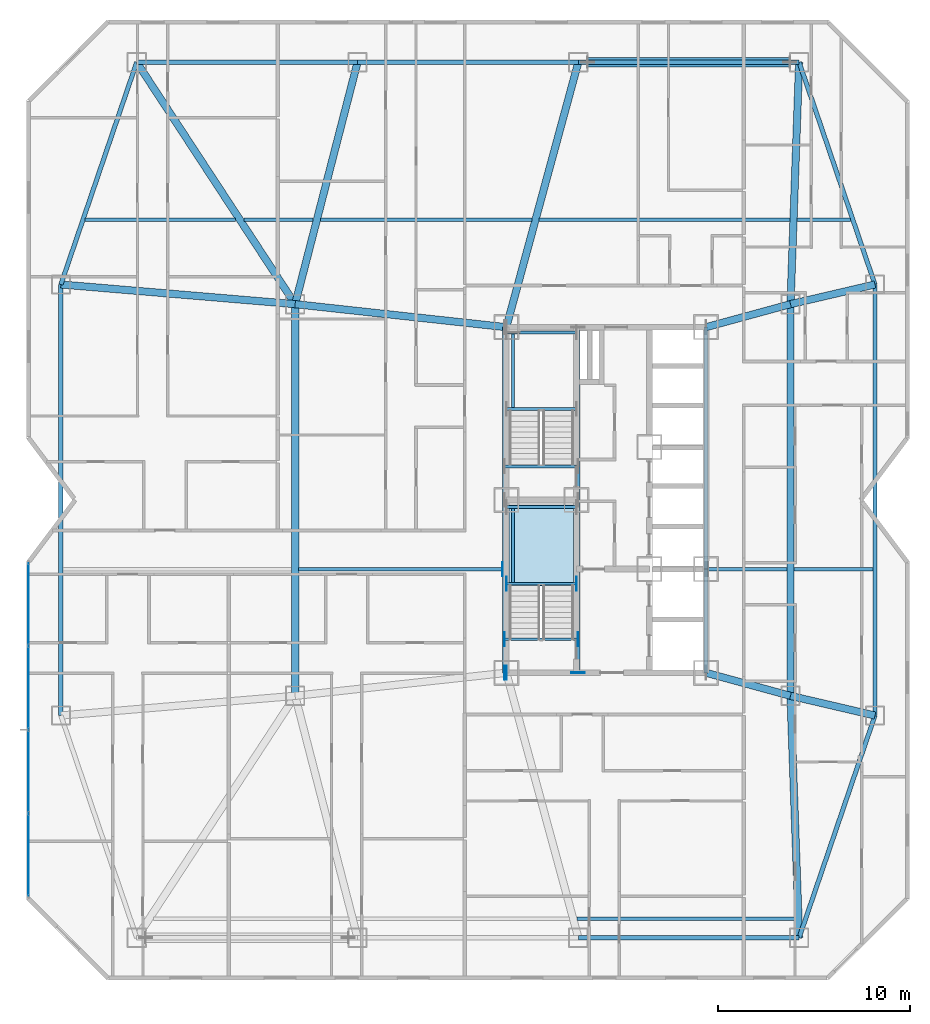
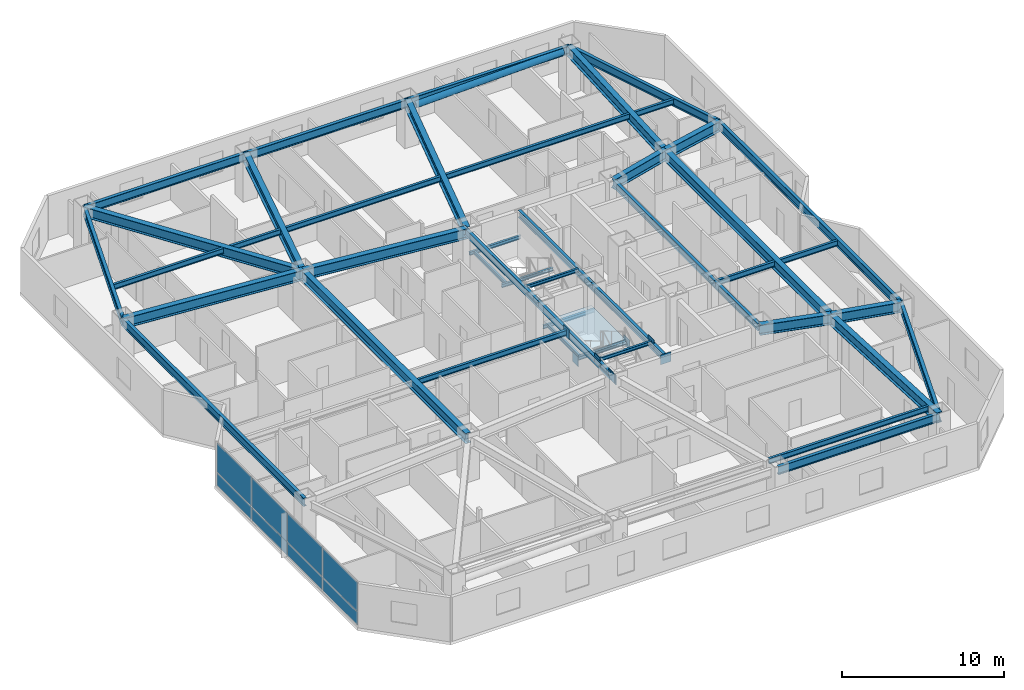
# One storey, part 7 of 18: 45 beams, 16 plates, 1 member, 1 slab, 2 elements without a shape of their own.
"""IFC4 building model written with IfcOpenShell, lengths in metres."""

from ifc_helpers import new_model, si_unit, direction, frame, origin, origin_2d, place, context, subcontext, project, spatial, polyline, rectangle, hollow_circle, i_section, outline, extrude, material, layer, layer_set, material_profile, profile_set, type_object, element, aggregate, save


model = new_model("IFC4")

# Units and contexts
model_context = context("Model", 3, precision=1e-05, world=origin(), true_north=direction((0.0, 1.0)))
body_context = subcontext(model_context, "Body", "Model", "MODEL_VIEW")
ifc_project = project(units=[si_unit("LENGTHUNIT", "METRE"), si_unit("AREAUNIT", "SQUARE_METRE"), si_unit("VOLUMEUNIT", "CUBIC_METRE"), si_unit("PLANEANGLEUNIT", "RADIAN"), si_unit("MASSUNIT", "GRAM", prefix="KILO")], contexts=[model_context])

# Site, building, storey
site_placement = place(None, origin())
site = spatial("IfcSite", under=ifc_project, at=site_placement, CompositionType="ELEMENT")
building_placement = place(site_placement, origin())
building = spatial("IfcBuilding", under=site, at=building_placement, Name="Khamvora Tower", CompositionType="ELEMENT")
storey_placement = place(building_placement, frame((0.0, 0.0, 80.75)))
storey = spatial("IfcBuildingStorey", under=building, at=storey_placement, Name="L20", CompositionType="ELEMENT", Elevation=80.75)

# Beams
ifc_material_1 = material(Name="Steel S355", Category="steel")
ifc_material_profile_1 = material_profile(ifc_material_1, i_section(OverallWidth=0.177978515625, OverallDepth=0.406982421875, WebThickness=0.008056640625, FlangeThickness=0.012939453125, FilletRadius=0.010009765625, at=origin_2d()), Name="W410x60")
ifc_profile_set_1 = profile_set([ifc_material_profile_1], Name="Steel S355")
beam_type_1 = type_object("IfcBeamType", Name="BM-JS-W410x60", PredefinedType="JOIST", material=ifc_profile_set_1)
beam_1_placement = place(storey_placement, frame((32.6708984375, 6.199951171875, 3.1259765625), z_axis=(1.0, 0.0, 0.0), x_axis=(0.0, 1.0, 0.0)))
element("IfcBeam", 1, at=beam_1_placement, inside=storey, type_object=beam_type_1, Name="L20 secondary floor joist 03", PredefinedType="JOIST", context=body_context, shape_type="SweptSolid", body=[
    extrude(i_section(OverallWidth=0.177978515625, OverallDepth=0.406982421875, WebThickness=0.008056640625, FlangeThickness=0.012939453125, FilletRadius=0.010009765625, at=origin_2d()), origin(), (0.0, 0.0, 1.0), 11.358154296875),
])
beam_2_placement = place(storey_placement, frame((18.18603515625, 24.39990234375, 3.1259765625), z_axis=(1.0, 0.0, 0.0), x_axis=(0.0, 1.0, 0.0)))
element("IfcBeam", 2, at=beam_2_placement, inside=storey, type_object=beam_type_1, Name="L20 secondary floor joist 05", PredefinedType="JOIST", context=body_context, shape_type="SweptSolid", body=[
    extrude(i_section(OverallWidth=0.177978515625, OverallDepth=0.406982421875, WebThickness=0.008056640625, FlangeThickness=0.012939453125, FilletRadius=0.010009765625, at=origin_2d()), origin(), (0.0, 0.0, 1.0), 10.614013671875),
])
beam_3_placement = place(storey_placement, frame((39.4990234375, 24.39990234375, 3.1259765625), z_axis=(1.0, 0.0, 0.0), x_axis=(0.0, 1.0, 0.0)))
element("IfcBeam", 3, at=beam_3_placement, inside=storey, type_object=beam_type_1, Name="L20 secondary floor joist 06", PredefinedType="JOIST", context=body_context, shape_type="SweptSolid", body=[
    extrude(i_section(OverallWidth=0.177978515625, OverallDepth=0.406982421875, WebThickness=0.008056640625, FlangeThickness=0.012939453125, FilletRadius=0.010009765625, at=origin_2d()), origin(), (0.0, 0.0, 1.0), 4.114990234375),
])
beam_4_placement = place(storey_placement, frame((43.985107421875, 24.39990234375, 3.1259765625), z_axis=(1.0, 0.0, 0.0), x_axis=(0.0, 1.0, 0.0)))
element("IfcBeam", 4, at=beam_4_placement, inside=storey, type_object=beam_type_1, Name="L20 secondary floor joist 07", PredefinedType="JOIST", context=body_context, shape_type="SweptSolid", body=[
    extrude(i_section(OverallWidth=0.177978515625, OverallDepth=0.406982421875, WebThickness=0.008056640625, FlangeThickness=0.012939453125, FilletRadius=0.010009765625, at=origin_2d()), origin(), (0.0, 0.0, 1.0), 4.10498046875),
])
beam_5_placement = place(storey_placement, frame((7.068115234375, 42.60009765625, 3.1259765625), z_axis=(1.0, 0.0, 0.0), x_axis=(0.0, 1.0, 0.0)))
element("IfcBeam", 5, at=beam_5_placement, inside=storey, type_object=beam_type_1, Name="L20 secondary floor joist 08", PredefinedType="JOIST", context=body_context, shape_type="SweptSolid", body=[
    extrude(i_section(OverallWidth=0.177978515625, OverallDepth=0.406982421875, WebThickness=0.008056640625, FlangeThickness=0.012939453125, FilletRadius=0.010009765625, at=origin_2d()), origin(), (0.0, 0.0, 1.0), 7.827880859375),
])
beam_6_placement = place(storey_placement, frame((15.342041015625, 42.60009765625, 3.1259765625), z_axis=(1.0, 0.0, 0.0), x_axis=(0.0, 1.0, 0.0)))
element("IfcBeam", 6, at=beam_6_placement, inside=storey, type_object=beam_type_1, Name="L20 secondary floor joist 09", PredefinedType="JOIST", context=body_context, shape_type="SweptSolid", body=[
    extrude(i_section(OverallWidth=0.177978515625, OverallDepth=0.406982421875, WebThickness=0.008056640625, FlangeThickness=0.012939453125, FilletRadius=0.010009765625, at=origin_2d()), origin(), (0.0, 0.0, 1.0), 3.60107421875),
])
beam_7_placement = place(storey_placement, frame((19.326904296875, 42.60009765625, 3.1259765625), z_axis=(1.0, 0.0, 0.0), x_axis=(0.0, 1.0, 0.0)))
element("IfcBeam", 7, at=beam_7_placement, inside=storey, type_object=beam_type_1, Name="L20 secondary floor joist 10", PredefinedType="JOIST", context=body_context, shape_type="SweptSolid", body=[
    extrude(i_section(OverallWidth=0.177978515625, OverallDepth=0.406982421875, WebThickness=0.008056640625, FlangeThickness=0.012939453125, FilletRadius=0.010009765625, at=origin_2d()), origin(), (0.0, 0.0, 1.0), 11.002197265625),
])
beam_8_placement = place(storey_placement, frame((30.714111328125, 42.60009765625, 3.1259765625), z_axis=(1.0, 0.0, 0.0), x_axis=(0.0, 1.0, 0.0)))
element("IfcBeam", 8, at=beam_8_placement, inside=storey, type_object=beam_type_1, Name="L20 secondary floor joist 11", PredefinedType="JOIST", context=body_context, shape_type="SweptSolid", body=[
    extrude(i_section(OverallWidth=0.177978515625, OverallDepth=0.406982421875, WebThickness=0.008056640625, FlangeThickness=0.012939453125, FilletRadius=0.010009765625, at=origin_2d()), origin(), (0.0, 0.0, 1.0), 13.057861328125),
])
beam_9_placement = place(storey_placement, frame((44.14306640625, 42.60009765625, 3.1259765625), z_axis=(1.0, 0.0, 0.0), x_axis=(0.0, 1.0, 0.0)))
element("IfcBeam", 9, at=beam_9_placement, inside=storey, type_object=beam_type_1, Name="L20 secondary floor joist 12", PredefinedType="JOIST", context=body_context, shape_type="SweptSolid", body=[
    extrude(i_section(OverallWidth=0.177978515625, OverallDepth=0.406982421875, WebThickness=0.008056640625, FlangeThickness=0.012939453125, FilletRadius=0.010009765625, at=origin_2d()), origin(), (0.0, 0.0, 1.0), 2.788818359375),
])
ifc_material_profile_2 = material_profile(ifc_material_1, i_section(OverallWidth=0.14697265625, OverallDepth=0.261962890625, WebThickness=0.007080078125, FlangeThickness=0.010986328125, FilletRadius=0.008056640625, at=origin_2d()), Name="W250x39")
ifc_profile_set_2 = profile_set([ifc_material_profile_2], Name="Steel S355")
beam_type_2 = type_object("IfcBeamType", Name="BM-LN-W250x39", PredefinedType="LINTEL", material=ifc_profile_set_2)
for number, where, z_axis, x_axis, name in (
    (10, (29.0, 23.635009765625, 1.493896484375), (1.0, 0.0, 0.0), (0.0, 1.0, 0.0), "L20 ST-01 half-landing support beam 1.1"),
    (11, (29.0, 27.6298828125, 1.493896484375), (1.0, 0.0, 0.0), (0.0, 1.0, 0.0), "L20 ST-01 half-landing support beam 1.2"),
):
    element("IfcBeam", number, at=place(storey_placement, frame(where, z_axis=z_axis, x_axis=x_axis)), inside=storey, type_object=beam_type_2, Name=name, PredefinedType="LINTEL", context=body_context, shape_type="SweptSolid", body=[
        extrude(i_section(OverallWidth=0.14697265625, OverallDepth=0.261962890625, WebThickness=0.007080078125, FlangeThickness=0.010986328125, FilletRadius=0.008056640625, at=origin_2d()), origin(), (0.0, 0.0, 1.0), 3.64990234375),
    ])
beam_10_placement = place(storey_placement, frame((29.35009765625, 23.635009765625, 1.493896484375), z_axis=(0.0, 1.0, 0.0), x_axis=(-1.0, 0.0, 0.0)))
element("IfcBeam", 12, at=beam_10_placement, inside=storey, type_object=beam_type_2, Name="L20 ST-01 half-landing edge stringer 1", PredefinedType="LINTEL", context=body_context, shape_type="SweptSolid", body=[
    extrude(i_section(OverallWidth=0.14697265625, OverallDepth=0.261962890625, WebThickness=0.007080078125, FlangeThickness=0.010986328125, FilletRadius=0.008056640625, at=origin_2d()), origin(), (0.0, 0.0, 1.0), 3.994873046875),
])
for number, where, z_axis, x_axis, name in (
    (13, (29.0, 32.735107421875, 1.493896484375), (1.0, 0.0, 0.0), (0.0, 1.0, 0.0), "L20 ST-02 half-landing support beam 1.1"),
    (14, (29.0, 36.72998046875, 1.493896484375), (1.0, 0.0, 0.0), (0.0, 1.0, 0.0), "L20 ST-02 half-landing support beam 1.2"),
):
    element("IfcBeam", number, at=place(storey_placement, frame(where, z_axis=z_axis, x_axis=x_axis)), inside=storey, type_object=beam_type_2, Name=name, PredefinedType="LINTEL", context=body_context, shape_type="SweptSolid", body=[
        extrude(i_section(OverallWidth=0.14697265625, OverallDepth=0.261962890625, WebThickness=0.007080078125, FlangeThickness=0.010986328125, FilletRadius=0.008056640625, at=origin_2d()), origin(), (0.0, 0.0, 1.0), 3.64990234375),
    ])
beam_11_placement = place(storey_placement, frame((29.35009765625, 32.735107421875, 1.493896484375), z_axis=(0.0, 1.0, 0.0), x_axis=(-1.0, 0.0, 0.0)))
element("IfcBeam", 15, at=beam_11_placement, inside=storey, type_object=beam_type_2, Name="L20 ST-02 half-landing edge stringer 1", PredefinedType="LINTEL", context=body_context, shape_type="SweptSolid", body=[
    extrude(i_section(OverallWidth=0.14697265625, OverallDepth=0.261962890625, WebThickness=0.007080078125, FlangeThickness=0.010986328125, FilletRadius=0.008056640625, at=origin_2d()), origin(), (0.0, 0.0, 1.0), 3.994873046875),
])
for number, where, z_axis, x_axis, name in (
    (16, (28.89990234375, 20.75, 3.2041015625), (1.0, 0.0, 0.0), (0.0, 1.0, 0.0), "L20 exit stair ST-01 landing trimmer beam"),
    (17, (28.89990234375, 29.75, 3.2041015625), (1.0, 0.0, 0.0), (0.0, 1.0, 0.0), "L20 exit stair ST-02 landing trimmer beam"),
):
    element("IfcBeam", number, at=place(storey_placement, frame(where, z_axis=z_axis, x_axis=x_axis)), inside=storey, type_object=beam_type_2, Name=name, PredefinedType="LINTEL", context=body_context, shape_type="SweptSolid", body=[
        extrude(i_section(OverallWidth=0.14697265625, OverallDepth=0.261962890625, WebThickness=0.007080078125, FlangeThickness=0.010986328125, FilletRadius=0.008056640625, at=origin_2d()), origin(), (0.0, 0.0, 1.0), 3.830078125),
    ])
ifc_material_profile_3 = material_profile(ifc_material_1, i_section(OverallWidth=0.381103515625, OverallDepth=0.77294921875, WebThickness=0.01708984375, FlangeThickness=0.027099609375, FilletRadius=0.01806640625, at=origin_2d()), Name="W760x257")
ifc_profile_set_3 = profile_set([ifc_material_profile_3], Name="Steel S355")
beam_type_3 = type_object("IfcBeamType", Name="BM-PG-W760x257", PredefinedType="BEAM", material=ifc_profile_set_3)
for number, where, z_axis, x_axis, name in (
    (18, (43.800048828125, 17.800048828125, 2.944091796875), (0.0, 1.0, 0.0), (-1.0, 0.0, 0.0), "L20 longitudinal frame girder M1-M2"),
    (19, (18.0, 17.800048828125, 2.944091796875), (0.0, 1.0, 0.0), (-1.0, 0.0, 0.0), "L20 longitudinal frame girder MW1-MW2"),
):
    element("IfcBeam", number, at=place(storey_placement, frame(where, z_axis=z_axis, x_axis=x_axis)), inside=storey, type_object=beam_type_3, Name=name, PredefinedType="BEAM", context=body_context, shape_type="SweptSolid", body=[
        extrude(i_section(OverallWidth=0.381103515625, OverallDepth=0.77294921875, WebThickness=0.01708984375, FlangeThickness=0.027099609375, FilletRadius=0.01806640625, at=origin_2d()), origin(), (0.0, 0.0, 1.0), 20.39990234375),
    ])
beam_12_placement = place(storey_placement, frame((43.800048828125, 17.800048828125, 2.944091796875), z_axis=(0.035687386423, -0.999363002342, 0.0), x_axis=(0.999363002342, 0.035687386423, 0.0)))
element("IfcBeam", 20, at=beam_12_placement, inside=storey, type_object=beam_type_3, Name="L20 primary floor girder S4", PredefinedType="BEAM", context=body_context, shape_type="SweptSolid", body=[
    extrude(i_section(OverallWidth=0.381103515625, OverallDepth=0.77294921875, WebThickness=0.01708984375, FlangeThickness=0.027099609375, FilletRadius=0.01806640625, at=origin_2d()), origin(), (0.0, 0.0, 1.0), 12.608154296875),
])
beam_13_placement = place(storey_placement, frame((18.0, 38.199951171875, 2.944091796875), z_axis=(-0.547782969742, 0.836620474325, 0.0), x_axis=(-0.836620474325, -0.547782969742, 0.0)))
element("IfcBeam", 21, at=beam_13_placement, inside=storey, type_object=beam_type_3, Name="L20 primary floor girder N1", PredefinedType="BEAM", context=body_context, shape_type="SweptSolid", body=[
    extrude(i_section(OverallWidth=0.381103515625, OverallDepth=0.77294921875, WebThickness=0.01708984375, FlangeThickness=0.027099609375, FilletRadius=0.01806640625, at=origin_2d()), origin(), (0.0, 0.0, 1.0), 15.060791015625),
])
beam_14_placement = place(storey_placement, frame((18.0, 38.199951171875, 2.944091796875), z_axis=(0.249759990341, 0.968307775051, 0.0), x_axis=(-0.968307775051, 0.249759990341, 0.0)))
element("IfcBeam", 22, at=beam_14_placement, inside=storey, type_object=beam_type_3, Name="L20 primary floor girder N2", PredefinedType="BEAM", context=body_context, shape_type="SweptSolid", body=[
    extrude(i_section(OverallWidth=0.381103515625, OverallDepth=0.77294921875, WebThickness=0.01708984375, FlangeThickness=0.027099609375, FilletRadius=0.01806640625, at=origin_2d()), origin(), (0.0, 0.0, 1.0), 13.012451171875),
])
beam_15_placement = place(storey_placement, frame((29.0, 37.0, 2.944091796875), z_axis=(0.262228883577, 0.965005706003, 0.0), x_axis=(-0.965005706003, 0.262228883577, 0.0)))
element("IfcBeam", 23, at=beam_15_placement, inside=storey, type_object=beam_type_3, Name="L20 primary floor girder N3", PredefinedType="BEAM", context=body_context, shape_type="SweptSolid", body=[
    extrude(i_section(OverallWidth=0.381103515625, OverallDepth=0.77294921875, WebThickness=0.01708984375, FlangeThickness=0.027099609375, FilletRadius=0.01806640625, at=origin_2d()), origin(), (0.0, 0.0, 1.0), 14.300537109375),
])
beam_16_placement = place(storey_placement, frame((43.800048828125, 38.199951171875, 2.944091796875), z_axis=(0.035687386423, 0.999363002342, 0.0), x_axis=(-0.999363002342, 0.035687386423, 0.0)))
element("IfcBeam", 24, at=beam_16_placement, inside=storey, type_object=beam_type_3, Name="L20 primary floor girder N4", PredefinedType="BEAM", context=body_context, shape_type="SweptSolid", body=[
    extrude(i_section(OverallWidth=0.381103515625, OverallDepth=0.77294921875, WebThickness=0.01708984375, FlangeThickness=0.027099609375, FilletRadius=0.01806640625, at=origin_2d()), origin(), (0.0, 0.0, 1.0), 12.608154296875),
])
beam_17_placement = place(storey_placement, frame((18.0, 38.199951171875, 2.944091796875), z_axis=(-0.996488172114, 0.083733642207, 0.0), x_axis=(-0.083733642207, -0.996488172114, 0.0)))
element("IfcBeam", 25, at=beam_17_placement, inside=storey, type_object=beam_type_3, Name="L20 primary floor girder W2", PredefinedType="BEAM", context=body_context, shape_type="SweptSolid", body=[
    extrude(i_section(OverallWidth=0.381103515625, OverallDepth=0.77294921875, WebThickness=0.01708984375, FlangeThickness=0.027099609375, FilletRadius=0.01806640625, at=origin_2d()), origin(), (0.0, 0.0, 1.0), 12.242919921875),
])
for number, where, z_axis, x_axis, name in (
    (26, (43.800048828125, 17.800048828125, 2.944091796875), (0.973914503503, -0.226915270237, 0.0), (0.226915270237, 0.973914503503, 0.0), "L20 primary floor girder E1"),
    (27, (43.800048828125, 38.199951171875, 2.944091796875), (0.973914503503, 0.226915270237, 0.0), (-0.226915270237, 0.973914503503, 0.0), "L20 primary floor girder E2"),
):
    element("IfcBeam", number, at=place(storey_placement, frame(where, z_axis=z_axis, x_axis=x_axis)), inside=storey, type_object=beam_type_3, Name=name, PredefinedType="BEAM", context=body_context, shape_type="SweptSolid", body=[
        extrude(i_section(OverallWidth=0.381103515625, OverallDepth=0.77294921875, WebThickness=0.01708984375, FlangeThickness=0.027099609375, FilletRadius=0.01806640625, at=origin_2d()), origin(), (0.0, 0.0, 1.0), 4.517822265625),
    ])
beam_18_placement = place(storey_placement, frame((29.0, 37.0, 2.944091796875), z_axis=(-0.994102652327, 0.108443149329, 0.0), x_axis=(-0.108443149329, -0.994102652327, 0.0)))
element("IfcBeam", 28, at=beam_18_placement, inside=storey, type_object=beam_type_3, Name="L20 primary floor girder MW2", PredefinedType="BEAM", context=body_context, shape_type="SweptSolid", body=[
    extrude(i_section(OverallWidth=0.381103515625, OverallDepth=0.77294921875, WebThickness=0.01708984375, FlangeThickness=0.027099609375, FilletRadius=0.01806640625, at=origin_2d()), origin(), (0.0, 0.0, 1.0), 11.065185546875),
])
for number, where, z_axis, x_axis, name in (
    (29, (39.39990234375, 19.0, 2.944091796875), (0.964768762286, -0.263099287945, 0.0), (0.263099287945, 0.964768762286, 0.0), "L20 primary floor girder M1"),
    (30, (39.39990234375, 37.0, 2.944091796875), (0.964768762286, 0.263099287945, 0.0), (-0.263099287945, 0.964768762286, 0.0), "L20 primary floor girder M2"),
):
    element("IfcBeam", number, at=place(storey_placement, frame(where, z_axis=z_axis, x_axis=x_axis)), inside=storey, type_object=beam_type_3, Name=name, PredefinedType="BEAM", context=body_context, shape_type="SweptSolid", body=[
        extrude(i_section(OverallWidth=0.381103515625, OverallDepth=0.77294921875, WebThickness=0.01708984375, FlangeThickness=0.027099609375, FilletRadius=0.01806640625, at=origin_2d()), origin(), (0.0, 0.0, 1.0), 4.560791015625),
    ])
ifc_material_profile_4 = material_profile(ifc_material_1, i_section(OverallWidth=0.208984375, OverallDepth=0.532958984375, WebThickness=0.010009765625, FlangeThickness=0.01611328125, FilletRadius=0.013916015625, at=origin_2d()), Name="W530x92")
ifc_profile_set_4 = profile_set([ifc_material_profile_4], Name="Steel S355")
beam_type_4 = type_object("IfcBeamType", Name="BM-SP-W530x92", PredefinedType="SPANDREL", material=ifc_profile_set_4)
for number, where, z_axis, x_axis, name in (
    (31, (28.89990234375, 19.0, 3.06396484375), (0.0, 1.0, 0.0), (-1.0, 0.0, 0.0), "L20 core spine girder WS"),
    (32, (28.89990234375, 28.0, 3.06396484375), (0.0, 1.0, 0.0), (-1.0, 0.0, 0.0), "L20 core spine girder WN"),
    (33, (32.72998046875, 19.0, 3.06396484375), (0.0, 1.0, 0.0), (-1.0, 0.0, 0.0), "L20 core spine girder M1S"),
    (34, (32.72998046875, 28.0, 3.06396484375), (0.0, 1.0, 0.0), (-1.0, 0.0, 0.0), "L20 core spine girder M1N"),
):
    element("IfcBeam", number, at=place(storey_placement, frame(where, z_axis=z_axis, x_axis=x_axis)), inside=storey, type_object=beam_type_4, Name=name, PredefinedType="SPANDREL", context=body_context, shape_type="SweptSolid", body=[
        extrude(i_section(OverallWidth=0.208984375, OverallDepth=0.532958984375, WebThickness=0.010009765625, FlangeThickness=0.01611328125, FilletRadius=0.013916015625, at=origin_2d()), origin(), (0.0, 0.0, 1.0), 9.0),
    ])
beam_19_placement = place(storey_placement, frame((39.39990234375, 19.0, 3.06396484375), z_axis=(0.0, 1.0, 0.0), x_axis=(-1.0, 0.0, 0.0)))
element("IfcBeam", 35, at=beam_19_placement, inside=storey, type_object=beam_type_4, Name="L20 core spine girder ES", PredefinedType="SPANDREL", context=body_context, shape_type="SweptSolid", body=[
    extrude(i_section(OverallWidth=0.208984375, OverallDepth=0.532958984375, WebThickness=0.010009765625, FlangeThickness=0.01611328125, FilletRadius=0.013916015625, at=origin_2d()), origin(), (0.0, 0.0, 1.0), 5.39990234375),
])
beam_20_placement = place(storey_placement, frame((39.39990234375, 24.39990234375, 3.06396484375), z_axis=(0.0, 1.0, 0.0), x_axis=(-1.0, 0.0, 0.0)))
element("IfcBeam", 36, at=beam_20_placement, inside=storey, type_object=beam_type_4, Name="L20 core spine girder EN", PredefinedType="SPANDREL", context=body_context, shape_type="SweptSolid", body=[
    extrude(i_section(OverallWidth=0.208984375, OverallDepth=0.532958984375, WebThickness=0.010009765625, FlangeThickness=0.01611328125, FilletRadius=0.013916015625, at=origin_2d()), origin(), (0.0, 0.0, 1.0), 12.60009765625),
])
ifc_material_profile_5 = material_profile(ifc_material_1, i_section(OverallWidth=0.22998046875, OverallDepth=0.616943359375, WebThickness=0.012939453125, FlangeThickness=0.02197265625, FilletRadius=0.013916015625, at=origin_2d()), Name="W610x140")
ifc_profile_set_5 = profile_set([ifc_material_profile_5], Name="Steel S355")
beam_type_5 = type_object("IfcBeamType", Name="BM-SP-W610x140", PredefinedType="SPANDREL", material=ifc_profile_set_5)
beam_21_placement = place(storey_placement, frame((32.75, 5.199951171875, 3.02197265625), z_axis=(1.0, 0.0, 0.0), x_axis=(0.0, 1.0, 0.0)))
element("IfcBeam", 37, at=beam_21_placement, inside=storey, type_object=beam_type_5, Name="L20 perimeter spandrel beam S3-S4", PredefinedType="SPANDREL", context=body_context, shape_type="SweptSolid", body=[
    extrude(i_section(OverallWidth=0.22998046875, OverallDepth=0.616943359375, WebThickness=0.012939453125, FlangeThickness=0.02197265625, FilletRadius=0.013916015625, at=origin_2d()), origin(), (0.0, 0.0, 1.0), 11.5),
])
beam_22_placement = place(storey_placement, frame((44.25, 5.199951171875, 3.02197265625), z_axis=(0.322962893199, 0.946411628002, 0.0), x_axis=(-0.946411628002, 0.322962893199, 0.0)))
element("IfcBeam", 38, at=beam_22_placement, inside=storey, type_object=beam_type_5, Name="L20 perimeter spandrel beam S4-E1", PredefinedType="SPANDREL", context=body_context, shape_type="SweptSolid", body=[
    extrude(i_section(OverallWidth=0.22998046875, OverallDepth=0.616943359375, WebThickness=0.012939453125, FlangeThickness=0.02197265625, FilletRadius=0.013916015625, at=origin_2d()), origin(), (0.0, 0.0, 1.0), 12.23046875),
])
beam_23_placement = place(storey_placement, frame((48.199951171875, 16.77490234375, 3.02197265625), z_axis=(0.0, 1.0, 0.0), x_axis=(-1.0, 0.0, 0.0)))
element("IfcBeam", 39, at=beam_23_placement, inside=storey, type_object=beam_type_5, Name="L20 perimeter spandrel beam E1-E2", PredefinedType="SPANDREL", context=body_context, shape_type="SweptSolid", body=[
    extrude(i_section(OverallWidth=0.22998046875, OverallDepth=0.616943359375, WebThickness=0.012939453125, FlangeThickness=0.02197265625, FilletRadius=0.013916015625, at=origin_2d()), origin(), (0.0, 0.0, 1.0), 22.4501953125),
])
beam_24_placement = place(storey_placement, frame((48.199951171875, 39.22509765625, 3.02197265625), z_axis=(-0.322962893199, 0.946411628002, 0.0), x_axis=(-0.946411628002, -0.322962893199, 0.0)))
element("IfcBeam", 40, at=beam_24_placement, inside=storey, type_object=beam_type_5, Name="L20 perimeter spandrel beam E2-N4", PredefinedType="SPANDREL", context=body_context, shape_type="SweptSolid", body=[
    extrude(i_section(OverallWidth=0.22998046875, OverallDepth=0.616943359375, WebThickness=0.012939453125, FlangeThickness=0.02197265625, FilletRadius=0.013916015625, at=origin_2d()), origin(), (0.0, 0.0, 1.0), 12.23046875),
])
for number, where, z_axis, x_axis, name in (
    (41, (44.25, 50.800048828125, 3.02197265625), (-1.0, 0.0, 0.0), (0.0, -1.0, 0.0), "L20 perimeter spandrel beam N4-N3"),
    (42, (32.75, 50.800048828125, 3.02197265625), (-1.0, 0.0, 0.0), (0.0, -1.0, 0.0), "L20 perimeter spandrel beam N3-N2"),
    (43, (21.25, 50.800048828125, 3.02197265625), (-1.0, 0.0, 0.0), (0.0, -1.0, 0.0), "L20 perimeter spandrel beam N2-N1"),
):
    element("IfcBeam", number, at=place(storey_placement, frame(where, z_axis=z_axis, x_axis=x_axis)), inside=storey, type_object=beam_type_5, Name=name, PredefinedType="SPANDREL", context=body_context, shape_type="SweptSolid", body=[
        extrude(i_section(OverallWidth=0.22998046875, OverallDepth=0.616943359375, WebThickness=0.012939453125, FlangeThickness=0.02197265625, FilletRadius=0.013916015625, at=origin_2d()), origin(), (0.0, 0.0, 1.0), 11.5),
    ])
beam_25_placement = place(storey_placement, frame((9.75, 50.800048828125, 3.02197265625), z_axis=(-0.322962893199, -0.946411628002, 0.0), x_axis=(0.946411628002, -0.322962893199, 0.0)))
element("IfcBeam", 44, at=beam_25_placement, inside=storey, type_object=beam_type_5, Name="L20 perimeter spandrel beam N1-W2", PredefinedType="SPANDREL", context=body_context, shape_type="SweptSolid", body=[
    extrude(i_section(OverallWidth=0.22998046875, OverallDepth=0.616943359375, WebThickness=0.012939453125, FlangeThickness=0.02197265625, FilletRadius=0.013916015625, at=origin_2d()), origin(), (0.0, 0.0, 1.0), 12.23046875),
])
beam_26_placement = place(storey_placement, frame((5.800048828125, 39.22509765625, 3.02197265625), z_axis=(0.0, -1.0, 0.0), x_axis=(1.0, 0.0, 0.0)))
element("IfcBeam", 45, at=beam_26_placement, inside=storey, type_object=beam_type_5, Name="L20 perimeter spandrel beam W2-W1", PredefinedType="SPANDREL", context=body_context, shape_type="SweptSolid", body=[
    extrude(i_section(OverallWidth=0.22998046875, OverallDepth=0.616943359375, WebThickness=0.012939453125, FlangeThickness=0.02197265625, FilletRadius=0.013916015625, at=origin_2d()), origin(), (0.0, 0.0, 1.0), 22.4501953125),
])

# Member
ifc_material_2 = material(Name="Steel S460", Category="steel")
ifc_material_profile_6 = material_profile(ifc_material_2, hollow_circle(Radius=0.25390625, WallThickness=0.02490234375, at=origin_2d()), Name="CHS508x25")
ifc_profile_set_6 = profile_set([ifc_material_profile_6], Name="Steel S460")
member_type = type_object("IfcMemberType", Name="MEM-BR-CHS508", PredefinedType="BRACE", material=ifc_profile_set_6)
member_placement = place(storey_placement, frame((33.22998046875, 50.800048828125, 2.694091796875), z_axis=(0.999556637757, 0.0, 0.029774618645), x_axis=(0.0, 1.0, 0.0)))
element("IfcMember", 46, at=member_placement, inside=storey, type_object=member_type, Name="L20 perimeter wind brace 2", PredefinedType="BRACE", context=body_context, shape_type="SweptSolid", body=[
    extrude(hollow_circle(Radius=0.25390625, WallThickness=0.02490234375, at=origin_2d()), origin(), (0.0, 0.0, 1.0), 10.544677734375),
])

# Curtain wall, plates
ifc_material_3 = material(Name="Anodised Aluminium 6063-T6", Category="aluminium")
curtain_wall_type = type_object("IfcCurtainWallType", Name="CW-SYS-02", PredefinedType="NOTDEFINED", material=ifc_material_3)
curtain_wall_placement = place(storey_placement, origin())
curtain_wall = element("IfcCurtainWall", 47, at=curtain_wall_placement, inside=storey, type_object=curtain_wall_type, Name="L20 stick curtain wall 02.1", PredefinedType="NOTDEFINED")
ifc_material_4 = material(Name="Low-E Laminated Double Glazing", Category="glass")
ifc_layer_1 = layer(ifc_material_4, 0.031982421875)
ifc_layer_set_1 = layer_set([ifc_layer_1], Name="Low-E Laminated Double Glazing")
plate_type_1 = type_object("IfcPlateType", Name="CW-SYS-02-PNL", PredefinedType="CURTAIN_PANEL", material=ifc_layer_set_1)
plate_1_placement = place(storey_placement, frame((4.110107421875, 9.51513671875, 0.06982421875), z_axis=(0.0, 0.0, 1.0), x_axis=(0.0, 1.0, 0.0)))
plate_1 = element("IfcPlate", 48, at=plate_1_placement, type_object=plate_type_1, Name="CW-02 panel 1.1", PredefinedType="CURTAIN_PANEL", context=body_context, shape_type="SweptSolid", body=[
    extrude(rectangle(XDim=4.256591796875, YDim=0.031982421875, at=origin_2d()), origin(), (0.0, 0.0, 1.0), 0.945068359375),
])
plate_2_placement = place(storey_placement, frame((4.110107421875, 9.51513671875, 1.0849609375), z_axis=(0.0, 0.0, 1.0), x_axis=(0.0, 1.0, 0.0)))
plate_2 = element("IfcPlate", 49, at=plate_2_placement, type_object=plate_type_1, Name="CW-02 panel 1.2", PredefinedType="CURTAIN_PANEL", context=body_context, shape_type="SweptSolid", body=[
    extrude(rectangle(XDim=4.256591796875, YDim=0.031982421875, at=origin_2d()), origin(), (0.0, 0.0, 1.0), 2.175048828125),
])
plate_3_placement = place(storey_placement, frame((4.110107421875, 13.859130859375, 0.06982421875), z_axis=(0.0, 0.0, 1.0), x_axis=(0.0, 1.0, 0.0)))
plate_3 = element("IfcPlate", 50, at=plate_3_placement, type_object=plate_type_1, Name="CW-02 panel 2.1", PredefinedType="CURTAIN_PANEL", context=body_context, shape_type="SweptSolid", body=[
    extrude(rectangle(XDim=4.29150390625, YDim=0.031982421875, at=origin_2d()), origin(), (0.0, 0.0, 1.0), 0.945068359375),
])
plate_4_placement = place(storey_placement, frame((4.110107421875, 13.859130859375, 1.0849609375), z_axis=(0.0, 0.0, 1.0), x_axis=(0.0, 1.0, 0.0)))
plate_4 = element("IfcPlate", 51, at=plate_4_placement, type_object=plate_type_1, Name="CW-02 panel 2.2", PredefinedType="CURTAIN_PANEL", context=body_context, shape_type="SweptSolid", body=[
    extrude(rectangle(XDim=4.29150390625, YDim=0.031982421875, at=origin_2d()), origin(), (0.0, 0.0, 1.0), 2.175048828125),
])
plate_5_placement = place(storey_placement, frame((4.110107421875, 18.220703125, 0.06982421875), z_axis=(0.0, 0.0, 1.0), x_axis=(0.0, 1.0, 0.0)))
plate_5 = element("IfcPlate", 52, at=plate_5_placement, type_object=plate_type_1, Name="CW-02 panel 3.1", PredefinedType="CURTAIN_PANEL", context=body_context, shape_type="SweptSolid", body=[
    extrude(rectangle(XDim=4.29150390625, YDim=0.031982421875, at=origin_2d()), origin(), (0.0, 0.0, 1.0), 0.945068359375),
])
plate_6_placement = place(storey_placement, frame((4.110107421875, 18.220703125, 1.0849609375), z_axis=(0.0, 0.0, 1.0), x_axis=(0.0, 1.0, 0.0)))
plate_6 = element("IfcPlate", 53, at=plate_6_placement, type_object=plate_type_1, Name="CW-02 panel 3.2", PredefinedType="CURTAIN_PANEL", context=body_context, shape_type="SweptSolid", body=[
    extrude(rectangle(XDim=4.29150390625, YDim=0.031982421875, at=origin_2d()), origin(), (0.0, 0.0, 1.0), 2.175048828125),
])
plate_7_placement = place(storey_placement, frame((4.110107421875, 22.564697265625, 0.06982421875), z_axis=(0.0, 0.0, 1.0), x_axis=(0.0, 1.0, 0.0)))
plate_7 = element("IfcPlate", 54, at=plate_7_placement, type_object=plate_type_1, Name="CW-02 panel 4.1", PredefinedType="CURTAIN_PANEL", context=body_context, shape_type="SweptSolid", body=[
    extrude(rectangle(XDim=4.256591796875, YDim=0.031982421875, at=origin_2d()), origin(), (0.0, 0.0, 1.0), 0.945068359375),
])
plate_8_placement = place(storey_placement, frame((4.110107421875, 22.564697265625, 1.0849609375), z_axis=(0.0, 0.0, 1.0), x_axis=(0.0, 1.0, 0.0)))
plate_8 = element("IfcPlate", 55, at=plate_8_placement, type_object=plate_type_1, Name="CW-02 panel 4.2", PredefinedType="CURTAIN_PANEL", context=body_context, shape_type="SweptSolid", body=[
    extrude(rectangle(XDim=4.256591796875, YDim=0.031982421875, at=origin_2d()), origin(), (0.0, 0.0, 1.0), 2.175048828125),
])
aggregate(curtain_wall, [plate_1, plate_2, plate_3, plate_4, plate_5, plate_6, plate_7, plate_8])

# Plates
ifc_layer_2 = layer(ifc_material_2, 0.034912109375)
ifc_layer_set_2 = layer_set([ifc_layer_2], Name="Steel S460")
plate_type_2 = type_object("IfcPlateType", Name="PL-EMB-35", PredefinedType="SHEET", material=ifc_layer_set_2)
for number, where, z_axis, x_axis, name in (
    (56, (29.0, 23.635009765625, 1.1337890625), (0.0, 0.0, 1.0), (1.0, 0.0, 0.0), "L20 core shear wall cast-in embed plate 0590"),
    (57, (32.64990234375, 23.635009765625, 1.1337890625), (0.0, 0.0, 1.0), (1.0, 0.0, 0.0), "L20 core shear wall cast-in embed plate 0591"),
    (58, (29.0, 19.0, 2.583984375), (0.0, 0.0, 1.0), (1.0, 0.0, 0.0), "L20 core shear wall cast-in embed plate 0599"),
    (59, (28.89990234375, 19.0, 2.7041015625), (0.0, 0.0, 1.0), (1.0, 0.0, 0.0), "L20 core shear wall cast-in embed plate 0603"),
):
    element("IfcPlate", number, at=place(storey_placement, frame(where, z_axis=z_axis, x_axis=x_axis)), inside=storey, type_object=plate_type_2, Name=name, PredefinedType="SHEET", context=body_context, shape_type="SweptSolid", body=[
        extrude(rectangle(XDim=0.034912109375, YDim=0.719970703125, at=origin_2d()), origin(), (0.0, 0.0, 1.0), 0.719970703125),
    ])
plate_9_placement = place(storey_placement, frame((32.72998046875, 19.0, 2.7041015625), z_axis=(0.0, 0.0, 1.0), x_axis=(1.0, 0.0, 0.0)))
element("IfcPlate", 60, at=plate_9_placement, inside=storey, type_object=plate_type_2, Name="L20 core shear wall cast-in embed plate 0606", PredefinedType="SHEET", context=body_context, shape_type="SweptSolid", body=[
    extrude(rectangle(XDim=0.719970703125, YDim=0.034912109375, at=origin_2d()), origin(), (0.0, 0.0, 1.0), 0.719970703125),
])
for number, where, z_axis, x_axis, name in (
    (61, (28.89990234375, 20.75, 2.84423828125), (0.0, 0.0, 1.0), (1.0, 0.0, 0.0), "L20 core shear wall cast-in embed plate 0612"),
    (62, (32.72998046875, 20.75, 2.84423828125), (0.0, 0.0, 1.0), (1.0, 0.0, 0.0), "L20 core shear wall cast-in embed plate 0613"),
    (63, (28.800048828125, 24.39990234375, 2.76611328125), (0.0, 0.0, 1.0), (1.0, 0.0, 0.0), "L20 core shear wall cast-in embed plate 0616"),
):
    element("IfcPlate", number, at=place(storey_placement, frame(where, z_axis=z_axis, x_axis=x_axis)), inside=storey, type_object=plate_type_2, Name=name, PredefinedType="SHEET", context=body_context, shape_type="SweptSolid", body=[
        extrude(rectangle(XDim=0.034912109375, YDim=0.719970703125, at=origin_2d()), origin(), (0.0, 0.0, 1.0), 0.719970703125),
    ])

# Stair, slab
ifc_material_5 = material(Name="Concrete C40/50", Category="concrete")
stair_type = type_object("IfcStairType", Name="STR-ST-01", PredefinedType="HALF_TURN_STAIR", material=ifc_material_5)
stair_placement = place(storey_placement, origin())
stair = element("IfcStair", 64, at=stair_placement, inside=storey, type_object=stair_type, Name="L20 South Tower Exit Stair ST-01", PredefinedType="HALF_TURN_STAIR")
ifc_layer_3 = layer(ifc_material_5, 0.199951171875)
ifc_layer_set_3 = layer_set([ifc_layer_3], Name="Concrete C40/50")
slab_type = type_object("IfcSlabType", Name="SLB-LND-200", PredefinedType="LANDING", material=ifc_layer_set_3)
slab_placement = place(storey_placement, frame((0.0, 0.0, 1.625)))
slab = element("IfcSlab", 65, at=slab_placement, type_object=slab_type, Name="ST-01 landing 1", PredefinedType="LANDING", context=body_context, shape_type="SweptSolid", body=[
    extrude(outline(polyline([(32.5, 23.514892578125), (32.5, 27.75), (29.14990234375, 27.75), (29.14990234375, 23.514892578125), (32.5, 23.514892578125)])), origin(), (0.0, 0.0, 1.0), 0.199951171875),
])
aggregate(stair, [slab])

save(model, "model.ifc")
